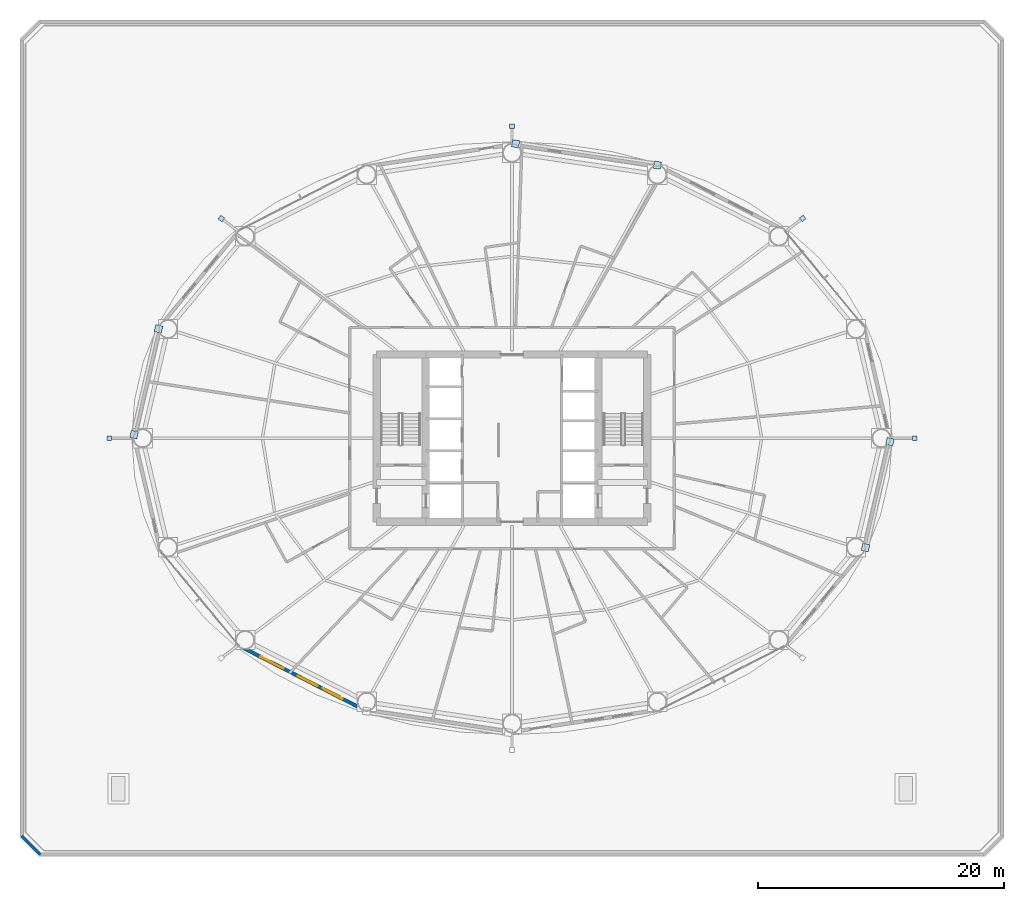
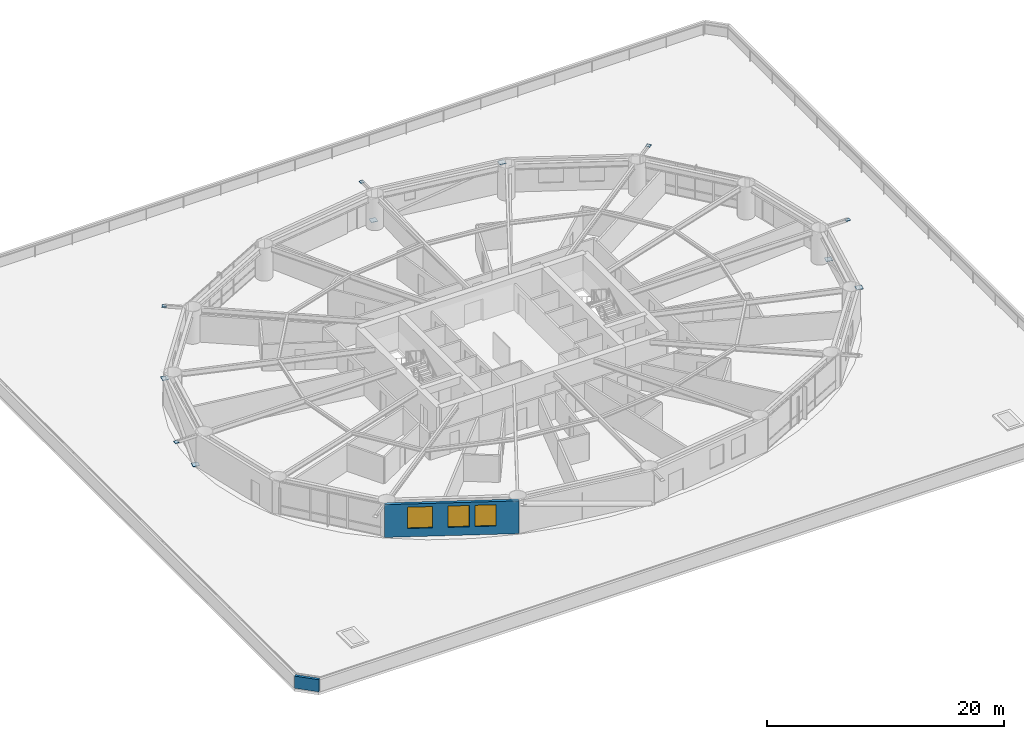
# One storey, part 20 of 30: 11 plates, 3 windows, 2 walls, 3 openings.
"""IFC4 building model written with IfcOpenShell, lengths in metres."""

from ifc_helpers import new_model, si_unit, direction, frame, frame_2d, origin, origin_2d, place, context, subcontext, project, spatial, rectangle, extrude, material, layer, layer_set, type_object, element, fill, save


model = new_model("IFC4")

# Units and contexts
model_context = context("Model", 3, precision=1e-05, world=origin(), true_north=direction((0.0, 1.0)))
body_context = subcontext(model_context, "Body", "Model", "MODEL_VIEW")
ifc_project = project(units=[si_unit("LENGTHUNIT", "METRE"), si_unit("AREAUNIT", "SQUARE_METRE"), si_unit("VOLUMEUNIT", "CUBIC_METRE"), si_unit("PLANEANGLEUNIT", "RADIAN"), si_unit("MASSUNIT", "GRAM", prefix="KILO")], contexts=[model_context])

# Site, building, storey
site_placement = place(None, origin())
site = spatial("IfcSite", under=ifc_project, at=site_placement, CompositionType="ELEMENT")
building_placement = place(site_placement, origin())
building = spatial("IfcBuilding", under=site, at=building_placement, Name="Sarneth Arch Tower", CompositionType="ELEMENT")
storey_placement = place(building_placement, frame((0.0, 0.0, 28.199951171875)))
storey = spatial("IfcBuildingStorey", under=building, at=storey_placement, Name="L05", CompositionType="ELEMENT", Elevation=28.199951171875)

# Plates
ifc_material_1 = material(Name="Steel S355", Category="steel")
ifc_layer_1 = layer(ifc_material_1, 0.035888671875)
ifc_layer_set_1 = layer_set([ifc_layer_1], Name="Steel S355")
plate_type = type_object("IfcPlateType", Name="PLT-GUSSET-30", PredefinedType="SHEET", material=ifc_layer_set_1)
for number, where, z_axis, x_axis, name in (
    (1, (80.734619140625, 42.0, 3.2021484375), (0.0, 0.0, 1.0), (1.0, 0.0, 0.0), "Steel end cap plate GP-1"),
    (2, (71.638671875, 59.873291015625, 3.2021484375), (0.0, 0.0, 1.0), (0.797689196331, 0.603068773902, 0.0), "Steel end cap plate GP-1"),
):
    element("IfcPlate", number, at=place(storey_placement, frame(where, z_axis=z_axis, x_axis=x_axis)), inside=storey, type_object=plate_type, Name=name, PredefinedType="SHEET", context=body_context, shape_type="SweptSolid", body=[
        extrude(rectangle(XDim=0.3798828125, YDim=0.3798828125, at=origin_2d()), origin(), (0.0, 0.0, 1.0), 0.035888671875),
    ])
for number, where, z_axis, x_axis, name in (
    (3, (48.296630859375, 65.935302734375, 0.001953125), (0.0, 0.0, 1.0), (-0.98883454203, 0.149017611339, 0.0), "Steel end cap plate GP-1"),
    (4, (59.819580078125, 64.19921875, 2.98876953125), (0.0, 0.0, 1.0), (-0.98883454203, 0.149017611339, 0.0), "Steel end cap plate GP-1"),
):
    element("IfcPlate", number, at=place(storey_placement, frame(where, z_axis=z_axis, x_axis=x_axis)), inside=storey, type_object=plate_type, Name=name, PredefinedType="SHEET", context=body_context, shape_type="SweptSolid", body=[
        extrude(rectangle(XDim=0.587890625, YDim=0.587890625, at=origin_2d()), origin(), (0.0, 0.0, 1.0), 0.035888671875),
    ])
for number, where, z_axis, x_axis, name in (
    (5, (48.0, 67.35009765625, 3.2021484375), (0.0, 0.0, 1.0), (0.0, 1.0, 0.0), "Steel end cap plate GP-1"),
    (6, (24.376708984375, 59.861572265625, 3.2021484375), (0.0, 0.0, 1.0), (-0.797689196331, 0.603068773902, 0.0), "Steel end cap plate GP-1"),
):
    element("IfcPlate", number, at=place(storey_placement, frame(where, z_axis=z_axis, x_axis=x_axis)), inside=storey, type_object=plate_type, Name=name, PredefinedType="SHEET", context=body_context, shape_type="SweptSolid", body=[
        extrude(rectangle(XDim=0.3798828125, YDim=0.3798828125, at=origin_2d()), origin(), (0.0, 0.0, 1.0), 0.035888671875),
    ])
for number, where, z_axis, x_axis, name in (
    (7, (17.274658203125, 42.292236328125, 0.001953125), (0.0, 0.0, 1.0), (-0.225291159947, -0.974291482694, 0.0), "Steel end cap plate GP-1"),
    (8, (19.260986328125, 50.884521484375, 2.98876953125), (0.0, 0.0, 1.0), (-0.225291159947, -0.974291482694, 0.0), "Steel end cap plate GP-1"),
):
    element("IfcPlate", number, at=place(storey_placement, frame(where, z_axis=z_axis, x_axis=x_axis)), inside=storey, type_object=plate_type, Name=name, PredefinedType="SHEET", context=body_context, shape_type="SweptSolid", body=[
        extrude(rectangle(XDim=0.587890625, YDim=0.587890625, at=origin_2d()), origin(), (0.0, 0.0, 1.0), 0.035888671875),
    ])
plate_placement = place(storey_placement, frame((15.265380859375, 42.0, 3.2021484375), z_axis=(0.0, 0.0, 1.0), x_axis=(-1.0, 0.0, 0.0)))
element("IfcPlate", 9, at=plate_placement, inside=storey, type_object=plate_type, Name="Steel end cap plate GP-1", PredefinedType="SHEET", context=body_context, shape_type="SweptSolid", body=[
    extrude(rectangle(XDim=0.3798828125, YDim=0.3798828125, at=origin_2d()), origin(), (0.0, 0.0, 1.0), 0.035888671875),
])
for number, where, z_axis, x_axis, name in (
    (10, (78.725341796875, 41.707763671875, 0.001953125), (0.0, 0.0, 1.0), (0.225291159947, 0.974291482694, 0.0), "Steel end cap plate GP-1"),
    (11, (76.739013671875, 33.115478515625, 2.98876953125), (0.0, 0.0, 1.0), (0.225291159947, 0.974291482694, 0.0), "Steel end cap plate GP-1"),
):
    element("IfcPlate", number, at=place(storey_placement, frame(where, z_axis=z_axis, x_axis=x_axis)), inside=storey, type_object=plate_type, Name=name, PredefinedType="SHEET", context=body_context, shape_type="SweptSolid", body=[
        extrude(rectangle(XDim=0.587890625, YDim=0.587890625, at=origin_2d()), origin(), (0.0, 0.0, 1.0), 0.035888671875),
    ])

# Wall, openings, windows
ifc_material_2 = material(Name="Extruded terracotta rainscreen on Concrete C40/50 backing", Category="masonry")
ifc_layer_2 = layer(ifc_material_2, 0.280029296875)
ifc_layer_set_2 = layer_set([ifc_layer_2], Name="Extruded terracotta rainscreen on Concrete C40/50 backing")
wall_type_1 = type_object("IfcWallType", Name="WALL-EXT-TERRA-280", PredefinedType="SOLIDWALL", material=ifc_layer_set_2)
wall_1_placement = place(storey_placement, frame((25.825927734375, 25.1142578125, 0.0), z_axis=(0.0, 0.0, 1.0), x_axis=(0.889853976658, -0.456245438581, 0.0)))
wall_1 = element("IfcWall", 12, at=wall_1_placement, inside=storey, type_object=wall_type_1, Name="L05 Terracotta perimeter wall 11", PredefinedType="SOLIDWALL", context=body_context, shape_type="SweptSolid", body=[
    extrude(rectangle(XDim=11.345947265625, YDim=0.280029296875, at=frame_2d((5.6728515625, 0.0))), origin(), (0.0, 0.0, 1.0), 3.380126953125),
])
opening_1_placement = place(wall_1_placement, frame((1.94482421875, 0.0, 0.85009765625)))
opening_1 = element("IfcOpeningElement", 13, at=opening_1_placement, cuts=wall_1, Name="Opening W-03", PredefinedType="OPENING", context=body_context, shape_type="SweptSolid", body=[
    extrude(rectangle(XDim=2.10009765625, YDim=2.199951171875, at=frame_2d((1.050048828125, 1.10009765625))), frame((0.0, 0.14990234375, 0.0), z_axis=(0.0, -1.0, 0.0), x_axis=(1.0, 0.0, 0.0)), (0.0, 0.0, 1.0), 0.300048828125),
])
opening_2_placement = place(wall_1_placement, frame((5.352783203125, 0.0, 0.85009765625)))
opening_2 = element("IfcOpeningElement", 14, at=opening_2_placement, cuts=wall_1, Name="Opening W-04", PredefinedType="OPENING", context=body_context, shape_type="SweptSolid", body=[
    extrude(rectangle(XDim=1.800048828125, YDim=2.199951171875, at=frame_2d((0.89990234375, 1.10009765625))), frame((0.0, 0.14990234375, 0.0), z_axis=(0.0, -1.0, 0.0), x_axis=(1.0, 0.0, 0.0)), (0.0, 0.0, 1.0), 0.300048828125),
])
opening_3_placement = place(wall_1_placement, frame((7.621826171875, 0.0, 0.85009765625)))
opening_3 = element("IfcOpeningElement", 15, at=opening_3_placement, cuts=wall_1, Name="Opening W-04", PredefinedType="OPENING", context=body_context, shape_type="SweptSolid", body=[
    extrude(rectangle(XDim=1.800048828125, YDim=2.199951171875, at=frame_2d((0.89990234375, 1.10009765625))), frame((0.0, 0.14990234375, 0.0), z_axis=(0.0, -1.0, 0.0), x_axis=(1.0, 0.0, 0.0)), (0.0, 0.0, 1.0), 0.300048828125),
])
ifc_material_3 = material(Name="Thermally broken Aluminium 6063-T6 and low-e laminated IGU", Category="aluminium")
window_type_1 = type_object("IfcWindowType", Name="WIN-TWR-1800x2200", PartitioningType="DOUBLE_PANEL_VERTICAL", PredefinedType="WINDOW", material=ifc_material_3)
window_1_placement = place(opening_2_placement, origin())
window_1 = element("IfcWindow", 16, at=window_1_placement, inside=storey, type_object=window_type_1, Name="L05 Exterior window 11B", OverallHeight=2.199951171875, OverallWidth=1.800048828125, PartitioningType="SINGLE_PANEL", PredefinedType="WINDOW", context=body_context, shape_type="SweptSolid", body=[
    extrude(rectangle(XDim=1.800048828125, YDim=2.199951171875, at=frame_2d((0.89990234375, 1.10009765625))), frame((0.0, 0.030029296875, 0.0), z_axis=(0.0, -1.0, 0.0), x_axis=(1.0, 0.0, 0.0)), (0.0, 0.0, 1.0), 0.06005859375),
])
fill(opening_2, window_1)
window_2_placement = place(opening_3_placement, origin())
window_2 = element("IfcWindow", 17, at=window_2_placement, inside=storey, type_object=window_type_1, Name="L05 Exterior window 11C", OverallHeight=2.199951171875, OverallWidth=1.800048828125, PartitioningType="SINGLE_PANEL", PredefinedType="WINDOW", context=body_context, shape_type="SweptSolid", body=[
    extrude(rectangle(XDim=1.800048828125, YDim=2.199951171875, at=frame_2d((0.89990234375, 1.10009765625))), frame((0.0, 0.030029296875, 0.0), z_axis=(0.0, -1.0, 0.0), x_axis=(1.0, 0.0, 0.0)), (0.0, 0.0, 1.0), 0.06005859375),
])
fill(opening_3, window_2)
ifc_material_4 = material(Name="Thermally broken Aluminium 6063-T6 and low-e laminated IGU", Category="aluminium")
window_type_2 = type_object("IfcWindowType", Name="WIN-TWR-2100x2200", PartitioningType="DOUBLE_PANEL_VERTICAL", PredefinedType="WINDOW", material=ifc_material_4)
window_3_placement = place(opening_1_placement, origin())
window_3 = element("IfcWindow", 18, at=window_3_placement, inside=storey, type_object=window_type_2, Name="L05 Exterior window 11A", OverallHeight=2.199951171875, OverallWidth=2.10009765625, PartitioningType="SINGLE_PANEL", PredefinedType="WINDOW", context=body_context, shape_type="SweptSolid", body=[
    extrude(rectangle(XDim=2.10009765625, YDim=2.199951171875, at=frame_2d((1.050048828125, 1.10009765625))), frame((0.0, 0.030029296875, 0.0), z_axis=(0.0, -1.0, 0.0), x_axis=(1.0, 0.0, 0.0)), (0.0, 0.0, 1.0), 0.06005859375),
])
fill(opening_1, window_3)

# Wall
ifc_material_5 = material(Name="Extruded terracotta rainscreen on Concrete C40/50 backing", Category="masonry")
ifc_layer_3 = layer(ifc_material_5, 0.239990234375)
ifc_layer_set_3 = layer_set([ifc_layer_3], Name="Extruded terracotta rainscreen on Concrete C40/50 backing")
wall_type_2 = type_object("IfcWallType", Name="WALL-PARAPET-240", PredefinedType="PARAPET", material=ifc_layer_set_3)
wall_2_placement = place(storey_placement, frame((8.14990234375, 9.64990234375, 0.0), z_axis=(0.0, 0.0, 1.0), x_axis=(0.707106781187, -0.707106781187, 0.0)))
element("IfcWall", 19, at=wall_2_placement, inside=storey, type_object=wall_type_2, Name="L05 Podium roof parapet 8", PredefinedType="PARAPET", context=body_context, shape_type="SweptSolid", body=[
    extrude(rectangle(XDim=2.121337890625, YDim=0.239990234375, at=frame_2d((1.060546875, 0.0))), origin(), (0.0, 0.0, 1.0), 1.25),
])

save(model, "model.ifc")
